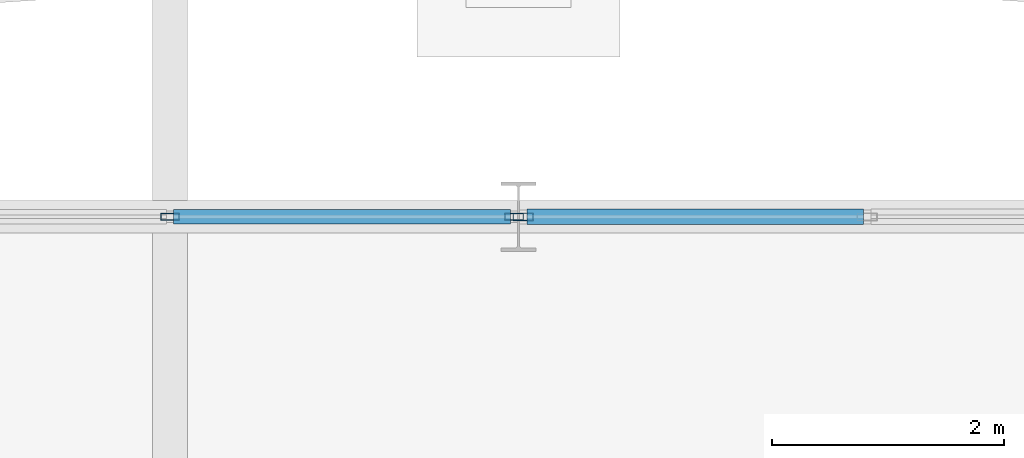
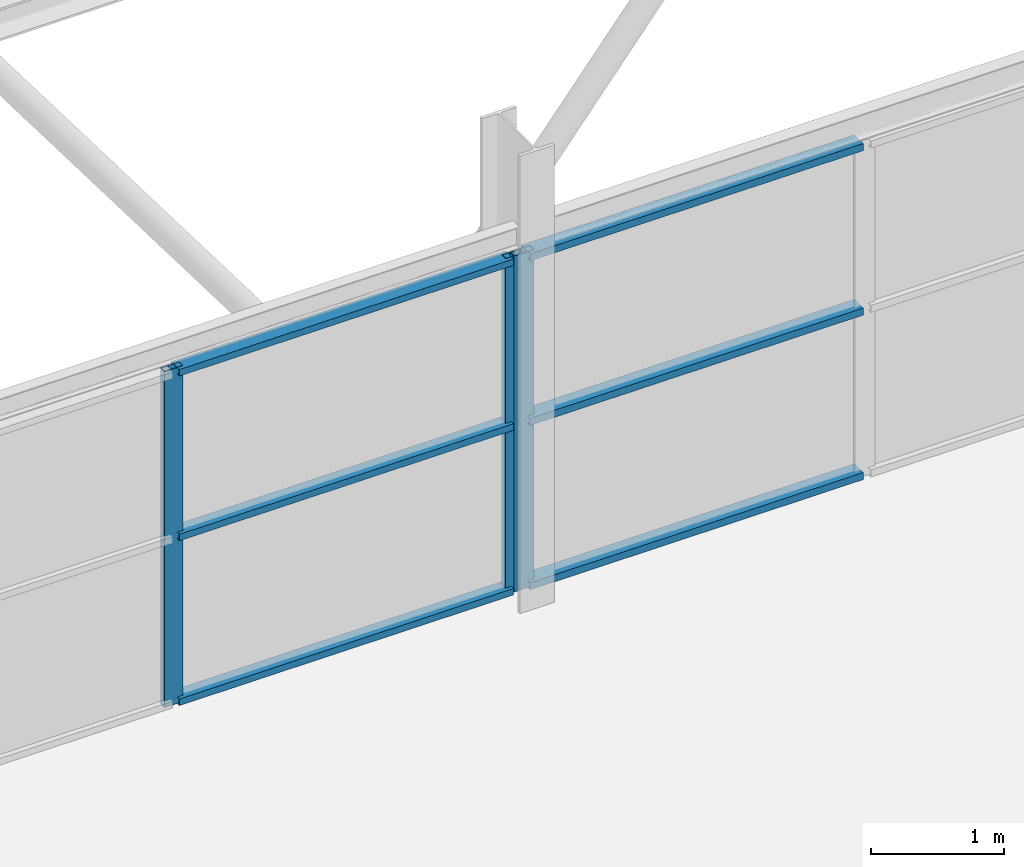
# One storey, part 39 of 140: 9 members, 2 elements without a shape of their own.
"""IFC4 building model written with IfcOpenShell, lengths in metres."""

import ifcopenshell
import ifcopenshell.guid

model = None  # the IFC model being written
_history = None  # IfcOwnerHistory: only IFC2X3 demands one
_inside = {}  # id of a spatial element -> (the spatial element, [elements in it])
_under = {}  # id of a project, library or spatial element -> (it, [spatial elements below it])
_declared = {}  # id of a project -> (the project, [libraries it declares])
_typed = {}  # id of a type object -> (the type object, [elements of that type])
_made_of = {}  # id of a material, layer set ... -> (it, [elements and type objects made of it])


def new_model(schema):
    """Start an empty IFC model of exactly this schema.

    Asked for "IFC4X3", IfcOpenShell would pick the latest addendum, in which some entities
    have other attributes; the version numbers below select the first issue.
    IFC2X3 requires an IfcOwnerHistory on every rooted entity: one is made here for all.
    """
    global model, _history
    if schema == "IFC4X3":
        model = ifcopenshell.file(schema_version=(4, 3, 0, 0))
    else:
        model = ifcopenshell.file(schema=schema)
    _inside.clear()
    _under.clear()
    _declared.clear()
    _typed.clear()
    _made_of.clear()
    _history = None
    if model.schema == "IFC2X3":
        org = make("IfcOrganization", Name="unknown")
        user = make(
            "IfcPersonAndOrganization",
            ThePerson=make("IfcPerson", FamilyName="unknown"),
            TheOrganization=org,
        )
        app = make(
            "IfcApplication",
            ApplicationDeveloper=org,
            Version="unknown",
            ApplicationFullName="unknown",
            ApplicationIdentifier="unknown",
        )
        _history = make(
            "IfcOwnerHistory",
            OwningUser=user,
            OwningApplication=app,
            ChangeAction="ADDED",
            CreationDate=0,
        )
    return model


def make(cls, **values):
    """One entity of the class cls with the attributes given. An attribute that is None is left unset."""
    return model.create_entity(
        cls, **{name: value for name, value in values.items() if value is not None}
    )


def rooted(cls, **values):
    """An entity with a GlobalId (a new one), such as an element, a storey or a relation."""
    return make(cls, GlobalId=ifcopenshell.guid.new(), OwnerHistory=_history, **values)


def si_unit(unit_type, name, prefix=None):
    """IfcSIUnit, for example si_unit("LENGTHUNIT", "METRE", prefix="MILLI")."""
    return make("IfcSIUnit", UnitType=unit_type, Prefix=prefix, Name=name)


def assignment(units):
    """IfcUnitAssignment: the units of a project."""
    return None if units is None else make("IfcUnitAssignment", Units=units)


def point(xyz):
    """IfcCartesianPoint."""
    return None if xyz is None else make("IfcCartesianPoint", Coordinates=xyz)


def direction(xyz):
    """IfcDirection."""
    return None if xyz is None else make("IfcDirection", DirectionRatios=xyz)


def frame(location, z_axis=None, x_axis=None):
    """IfcAxis2Placement3D, a coordinate frame: its origin and axes. An axis left out is left unset."""
    return make(
        "IfcAxis2Placement3D",
        Location=point(location),
        Axis=direction(z_axis),
        RefDirection=direction(x_axis),
    )


def frame_2d(location, x_axis=None):
    """IfcAxis2Placement2D, a coordinate frame in the plane: its origin and x axis."""
    return make(
        "IfcAxis2Placement2D", Location=point(location), RefDirection=direction(x_axis)
    )


def origin():
    """The frame at (0, 0, 0) with its axes left unset."""
    return frame((0.0, 0.0, 0.0))


def origin_2d():
    """The frame at (0, 0) in the plane with its x axis left unset."""
    return frame_2d((0.0, 0.0))


def place(relative_to, where):
    """IfcLocalPlacement: puts the frame where relative to a parent placement (None: the world)."""
    return make(
        "IfcLocalPlacement", PlacementRelTo=relative_to, RelativePlacement=where
    )


def context(
    kind, dimensions, precision=None, world=None, true_north=None, identifier=None
):
    """IfcGeometricRepresentationContext, for example the 3D "Model" context."""
    return make(
        "IfcGeometricRepresentationContext",
        ContextIdentifier=identifier,
        ContextType=kind,
        CoordinateSpaceDimension=dimensions,
        Precision=precision,
        WorldCoordinateSystem=world,
        TrueNorth=true_north,
    )


def subcontext(parent, identifier, kind, view, scale=None):
    """IfcGeometricRepresentationSubContext, for example "Body" below "Model"."""
    return make(
        "IfcGeometricRepresentationSubContext",
        ContextIdentifier=identifier,
        ContextType=kind,
        ParentContext=parent,
        TargetScale=scale,
        TargetView=view,
    )


def project(units=None, contexts=None):
    """IfcProject with its units and contexts."""
    return rooted(
        "IfcProject",
        Name="project",
        RepresentationContexts=contexts,
        UnitsInContext=assignment(units),
    )


def spatial(cls, under=None, at=None, **own):
    """A site, building, storey or space (cls), placed at a placement, below another one or the project."""
    s = rooted(cls, ObjectPlacement=at, **own)
    if under is not None:
        _under.setdefault(under.id(), (under, []))[1].append(s)
    return s


def profile(cls, at=None, kind="AREA", **sizes):
    """A parametric profile (cls). Its sizes go by their IFC names, for example OverallWidth=200.0."""
    return make(cls, ProfileType=kind, Position=at, **sizes)


def hollow_rectangle(**sizes):
    """IfcRectangleHollowProfileDef."""
    return profile("IfcRectangleHollowProfileDef", **sizes)


def extrude(swept, where, along, depth):
    """IfcExtrudedAreaSolid: the profile swept, set in the frame where, extruded along a direction by depth."""
    return make(
        "IfcExtrudedAreaSolid",
        SweptArea=swept,
        Position=where,
        ExtrudedDirection=direction(along),
        Depth=depth,
    )


def shape(context_of_items, identifier, shape_type, items):
    """IfcShapeRepresentation: the items that make up one representation, for example the "Body"."""
    return make(
        "IfcShapeRepresentation",
        ContextOfItems=context_of_items,
        RepresentationIdentifier=identifier,
        RepresentationType=shape_type,
        Items=items,
    )


def material(Name=None, Category=None):
    """IfcMaterial."""
    return make("IfcMaterial", Name=Name, Category=Category)


def layer(
    of_material, thickness, ventilated=None, Name=None, Category=None, Priority=None
):
    """IfcMaterialLayer: one layer of a wall or slab, of a material (None: an air gap)."""
    return make(
        "IfcMaterialLayer",
        Material=of_material,
        LayerThickness=thickness,
        IsVentilated=ventilated,
        Name=Name,
        Category=Category,
        Priority=Priority,
    )


def layer_set(layers, Name=None):
    """IfcMaterialLayerSet."""
    return make("IfcMaterialLayerSet", MaterialLayers=layers, LayerSetName=Name)


def material_profile(
    of_material, cross_section, Name=None, Category=None, Priority=None
):
    """IfcMaterialProfile: a cross section and its material."""
    return make(
        "IfcMaterialProfile",
        Name=Name,
        Material=of_material,
        Profile=cross_section,
        Priority=Priority,
        Category=Category,
    )


def profile_set(profiles, Name=None, composite=None):
    """IfcMaterialProfileSet."""
    return make(
        "IfcMaterialProfileSet",
        Name=Name,
        MaterialProfiles=profiles,
        CompositeProfile=composite,
    )


def made_of(thing, what):
    """Note that an element or type object is made of a material, layer set ...; save() writes the relation."""
    if what is not None:
        _made_of.setdefault(what.id(), (what, []))[1].append(thing)
    return thing


def type_object(cls, material=None, **own):
    """A type object (cls), such as IfcWallType, which elements share."""
    return made_of(rooted(cls, **own), material)


def element(
    cls,
    number,
    at=None,
    inside=None,
    cuts=None,
    type_object=None,
    material=None,
    context=None,
    identifier="Body",
    shape_type=None,
    held_by="IfcProductDefinitionShape",
    body=None,
    shapes=None,
    **own,
):
    """One element of the class cls, such as IfcWall. Its Tag is "e" and its number.

    at: its placement. inside: the storey or other place that contains it. cuts: it is an
    opening in that element (IfcRelVoidsElement). A single representation is given by context,
    identifier, shape_type and body (its items); several are given by shapes. held_by: the class
    of the entity that holds the representations. save() writes the other relations.
    """
    e = rooted(cls, Tag="e%d" % number, ObjectPlacement=at, **own)
    if body is not None:
        shapes = [shape(context, identifier, shape_type, body)]
    if shapes is not None:
        e.Representation = make(held_by, Representations=shapes)
    if inside is not None:
        _inside.setdefault(inside.id(), (inside, []))[1].append(e)
    if cuts is not None:
        rooted(
            "IfcRelVoidsElement", RelatingBuildingElement=cuts, RelatedOpeningElement=e
        )
    if type_object is not None:
        _typed.setdefault(type_object.id(), (type_object, []))[1].append(e)
    return made_of(e, material)


def aggregate(whole, parts):
    """IfcRelAggregates: a whole, such as a stair, and the parts it consists of."""
    return rooted("IfcRelAggregates", RelatingObject=whole, RelatedObjects=parts)


def save(model, path):
    """Write the relations noted so far, then the file.

    IfcRelAggregates (storeys below a building ...), IfcRelContainedInSpatialStructure (elements
    in a storey), IfcRelDefinesByType, IfcRelAssociatesMaterial and IfcRelDeclares: one each for
    every whole, place, type object, material and project.
    """
    for whole, parts in _under.values():
        aggregate(whole, parts)
    for where, things in _inside.values():
        rooted(
            "IfcRelContainedInSpatialStructure",
            RelatedElements=things,
            RelatingStructure=where,
        )
    for kind, things in _typed.values():
        rooted("IfcRelDefinesByType", RelatedObjects=things, RelatingType=kind)
    for what, things in _made_of.values():
        rooted("IfcRelAssociatesMaterial", RelatedObjects=things, RelatingMaterial=what)
    for by, libraries in _declared.values():
        rooted("IfcRelDeclares", RelatingContext=by, RelatedDefinitions=libraries)
    model.write(path)


model = new_model("IFC4")

# Units and contexts
model_context = context("Model", 3, precision=1e-05, world=origin(), true_north=direction((0.0, 1.0)))
body_context = subcontext(model_context, "Body", "Model", "MODEL_VIEW")
ifc_project = project(units=[si_unit("LENGTHUNIT", "METRE"), si_unit("AREAUNIT", "SQUARE_METRE"), si_unit("VOLUMEUNIT", "CUBIC_METRE"), si_unit("PLANEANGLEUNIT", "RADIAN"), si_unit("MASSUNIT", "GRAM", prefix="KILO")], contexts=[model_context])

# Site, building, storey
site_placement = place(None, origin())
site = spatial("IfcSite", under=ifc_project, at=site_placement, CompositionType="ELEMENT")
building_placement = place(site_placement, origin())
building = spatial("IfcBuilding", under=site, at=building_placement, Name="Deido Ridge Mobility Hub", CompositionType="ELEMENT")
storey_placement = place(building_placement, origin())
storey = spatial("IfcBuildingStorey", under=building, at=storey_placement, Name="L00", CompositionType="ELEMENT", Elevation=0.0)

# Curtain wall, members
ifc_material = material(Name="Anodised aluminium EN AW-6063 T6", Category="aluminium")
ifc_layer_1 = layer(ifc_material, 0.14404296875, Name="Anodised aluminium EN AW-6063 T6")
ifc_layer_set_1 = layer_set([ifc_layer_1], Name="Anodised aluminium EN AW-6063 T6")
curtain_wall_type_1 = type_object("IfcCurtainWallType", Name="CW-GS-2", PredefinedType="USERDEFINED", material=ifc_layer_set_1)
curtain_wall_1_placement = place(storey_placement, origin())
curtain_wall_1 = element("IfcCurtainWall", 1, at=curtain_wall_1_placement, inside=storey, type_object=curtain_wall_type_1, Name="Unitised curtain wall GS2", ObjectType="GLAZED SCREEN", PredefinedType="USERDEFINED")
ifc_material_profile_1 = material_profile(ifc_material, hollow_rectangle(XDim=0.06005859375, YDim=0.159912109375, WallThickness=0.00390625, at=origin_2d()), Name="RHS 60x160x4")
ifc_profile_set_1 = profile_set([ifc_material_profile_1], Name="Anodised aluminium EN AW-6063 T6")
member_type_1 = type_object("IfcMemberType", Name="MEM-MUL-60X160", PredefinedType="MULLION", material=ifc_profile_set_1)
member_1_placement = place(storey_placement, frame((9.0, 36.0, 0.0), z_axis=(0.0, 0.0, 1.0), x_axis=(0.0, 1.0, 0.0)))
member_1 = element("IfcMember", 2, at=member_1_placement, type_object=member_type_1, Name="GS2 mullion 2", PredefinedType="MULLION", context=body_context, shape_type="SweptSolid", body=[
    extrude(hollow_rectangle(XDim=0.06005859375, YDim=0.159912109375, WallThickness=0.00390625, at=origin_2d()), origin(), (0.0, 0.0, 1.0), 3.0849609375),
])
member_2_placement = place(storey_placement, frame((11.96240234375, 36.0, 0.0), z_axis=(0.0, 0.0, 1.0), x_axis=(0.0, 1.0, 0.0)))
member_2 = element("IfcMember", 3, at=member_2_placement, type_object=member_type_1, Name="GS2 mullion 3", PredefinedType="MULLION", context=body_context, shape_type="SweptSolid", body=[
    extrude(hollow_rectangle(XDim=0.06005859375, YDim=0.159912109375, WallThickness=0.00390625, at=origin_2d()), origin(), (0.0, 0.0, 1.0), 3.0849609375),
])

# Curtain wall, member
ifc_layer_2 = layer(ifc_material, 0.156005859375, Name="Anodised aluminium EN AW-6063 T6")
ifc_layer_set_2 = layer_set([ifc_layer_2], Name="Anodised aluminium EN AW-6063 T6")
curtain_wall_type_2 = type_object("IfcCurtainWallType", Name="CW-GS-3", PredefinedType="USERDEFINED", material=ifc_layer_set_2)
curtain_wall_2_placement = place(storey_placement, origin())
curtain_wall_2 = element("IfcCurtainWall", 4, at=curtain_wall_2_placement, inside=storey, type_object=curtain_wall_type_2, Name="Unitised curtain wall GS3", ObjectType="GLAZED SCREEN", PredefinedType="USERDEFINED")
ifc_material_profile_2 = material_profile(ifc_material, hollow_rectangle(XDim=0.06494140625, YDim=0.175048828125, WallThickness=0.00390625, at=origin_2d()), Name="RHS 65x175x4")
ifc_profile_set_2 = profile_set([ifc_material_profile_2], Name="Anodised aluminium EN AW-6063 T6")
member_type_2 = type_object("IfcMemberType", Name="MEM-MUL-65X175", PredefinedType="MULLION", material=ifc_profile_set_2)
member_3_placement = place(storey_placement, frame((12.040283203125, 36.0, 0.0), z_axis=(0.0, 0.0, 1.0), x_axis=(0.0, 1.0, 0.0)))
member_3 = element("IfcMember", 5, at=member_3_placement, type_object=member_type_2, Name="GS3 mullion 1", PredefinedType="MULLION", context=body_context, shape_type="SweptSolid", body=[
    extrude(hollow_rectangle(XDim=0.06494140625, YDim=0.175048828125, WallThickness=0.00390625, at=origin_2d()), origin(), (0.0, 0.0, 1.0), 3.0849609375),
])

# Member
ifc_material_profile_3 = material_profile(ifc_material, hollow_rectangle(XDim=0.125, YDim=0.06005859375, WallThickness=0.00390625, at=origin_2d()), Name="RHS 125x60x4")
ifc_profile_set_3 = profile_set([ifc_material_profile_3], Name="Anodised aluminium EN AW-6063 T6")
member_type_3 = type_object("IfcMemberType", Name="MEM-TRN-125X60", PredefinedType="USERDEFINED", material=ifc_profile_set_3)
member_4_placement = place(storey_placement, frame((9.030029296875, 36.0, 0.030029296875), z_axis=(1.0, 0.0, 0.0), x_axis=(0.0, 1.0, 0.0)))
member_4 = element("IfcMember", 6, at=member_4_placement, type_object=member_type_3, Name="GS2 transom 2.1", ObjectType="TRANSOM", PredefinedType="USERDEFINED", context=body_context, shape_type="SweptSolid", body=[
    extrude(hollow_rectangle(XDim=0.125, YDim=0.06005859375, WallThickness=0.00390625, at=origin_2d()), origin(), (0.0, 0.0, 1.0), 2.90234375),
])

member_5_placement = place(storey_placement, frame((9.030029296875, 36.0, 1.54248046875), z_axis=(1.0, 0.0, 0.0), x_axis=(0.0, 1.0, 0.0)))
member_5 = element("IfcMember", 7, at=member_5_placement, type_object=member_type_3, Name="GS2 transom 2.2", ObjectType="TRANSOM", PredefinedType="USERDEFINED", context=body_context, shape_type="SweptSolid", body=[
    extrude(hollow_rectangle(XDim=0.125, YDim=0.06005859375, WallThickness=0.00390625, at=origin_2d()), origin(), (0.0, 0.0, 1.0), 2.90234375),
])

member_6_placement = place(storey_placement, frame((9.030029296875, 36.0, 3.054931640625), z_axis=(1.0, 0.0, 0.0), x_axis=(0.0, 1.0, 0.0)))
member_6 = element("IfcMember", 8, at=member_6_placement, type_object=member_type_3, Name="GS2 transom 2.3", ObjectType="TRANSOM", PredefinedType="USERDEFINED", context=body_context, shape_type="SweptSolid", body=[
    extrude(hollow_rectangle(XDim=0.125, YDim=0.06005859375, WallThickness=0.00390625, at=origin_2d()), origin(), (0.0, 0.0, 1.0), 2.90234375),
])

aggregate(curtain_wall_1, [member_1, member_2, member_4, member_5, member_6])

ifc_material_profile_4 = material_profile(ifc_material, hollow_rectangle(XDim=0.135009765625, YDim=0.06494140625, WallThickness=0.00390625, at=origin_2d()), Name="RHS 135x65x4")
ifc_profile_set_4 = profile_set([ifc_material_profile_4], Name="Anodised aluminium EN AW-6063 T6")
member_type_4 = type_object("IfcMemberType", Name="MEM-TRN-135X65", PredefinedType="USERDEFINED", material=ifc_profile_set_4)
member_7_placement = place(storey_placement, frame((12.07275390625, 36.0, 0.032470703125), z_axis=(1.0, 0.0, 0.0), x_axis=(0.0, 1.0, 0.0)))
member_7 = element("IfcMember", 9, at=member_7_placement, type_object=member_type_4, Name="GS3 transom 1.1", ObjectType="TRANSOM", PredefinedType="USERDEFINED", context=body_context, shape_type="SweptSolid", body=[
    extrude(hollow_rectangle(XDim=0.135009765625, YDim=0.06494140625, WallThickness=0.00390625, at=origin_2d()), origin(), (0.0, 0.0, 1.0), 2.894775390625),
])

member_8_placement = place(storey_placement, frame((12.07275390625, 36.0, 1.54248046875), z_axis=(1.0, 0.0, 0.0), x_axis=(0.0, 1.0, 0.0)))
member_8 = element("IfcMember", 10, at=member_8_placement, type_object=member_type_4, Name="GS3 transom 1.2", ObjectType="TRANSOM", PredefinedType="USERDEFINED", context=body_context, shape_type="SweptSolid", body=[
    extrude(hollow_rectangle(XDim=0.135009765625, YDim=0.06494140625, WallThickness=0.00390625, at=origin_2d()), origin(), (0.0, 0.0, 1.0), 2.894775390625),
])

member_9_placement = place(storey_placement, frame((12.07275390625, 36.0, 3.052490234375), z_axis=(1.0, 0.0, 0.0), x_axis=(0.0, 1.0, 0.0)))
member_9 = element("IfcMember", 11, at=member_9_placement, type_object=member_type_4, Name="GS3 transom 1.3", ObjectType="TRANSOM", PredefinedType="USERDEFINED", context=body_context, shape_type="SweptSolid", body=[
    extrude(hollow_rectangle(XDim=0.135009765625, YDim=0.06494140625, WallThickness=0.00390625, at=origin_2d()), origin(), (0.0, 0.0, 1.0), 2.894775390625),
])

aggregate(curtain_wall_2, [member_3, member_7, member_8, member_9])

save(model, "model.ifc")
